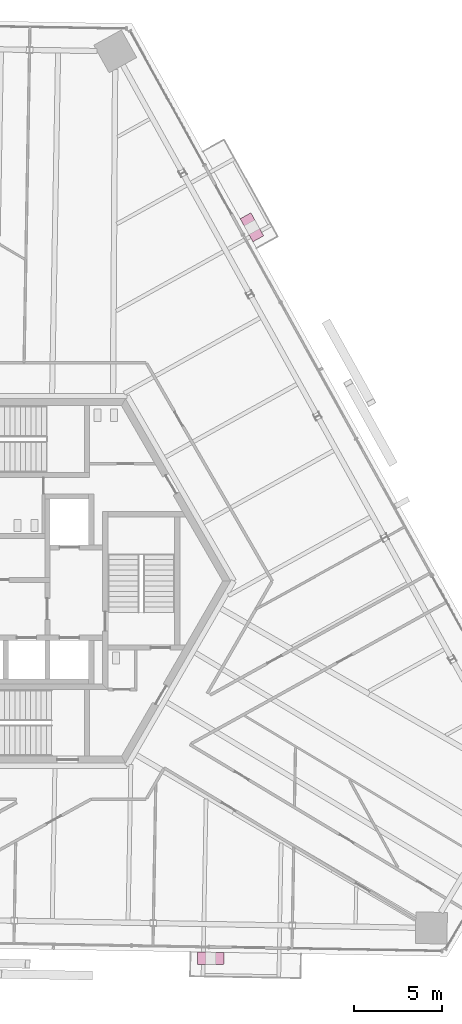
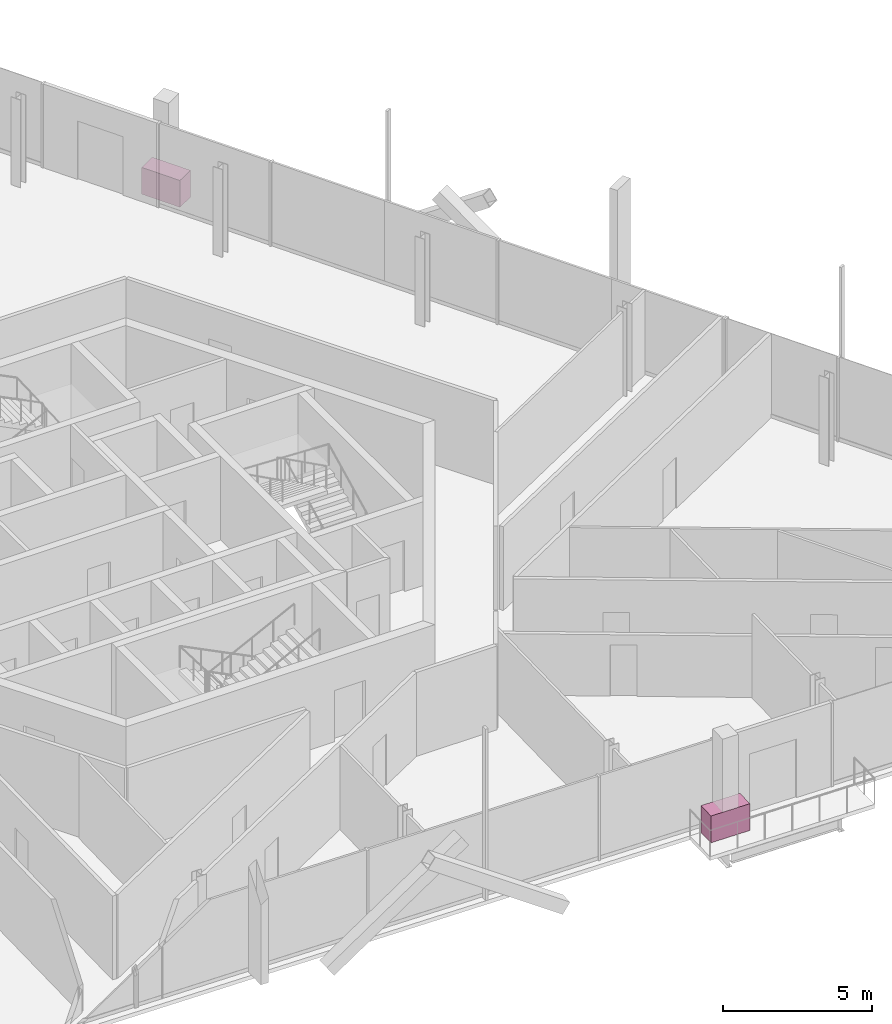
# One storey, part 19 of 20: 2 furniture elements.
"""IFC4 building model written with IfcOpenShell, lengths in metres."""

from ifc_helpers import new_model, si_unit, direction, frame, origin, origin_2d, place, context, subcontext, project, spatial, rectangle, extrude, source, transform, mapped, material, type_object, element, save


model = new_model("IFC4")

# Units and contexts
model_context = context("Model", 3, precision=1e-05, world=origin(), true_north=direction((0.0, 1.0)))
body_context = subcontext(model_context, "Body", "Model", "MODEL_VIEW")
ifc_project = project(units=[si_unit("LENGTHUNIT", "METRE"), si_unit("AREAUNIT", "SQUARE_METRE"), si_unit("VOLUMEUNIT", "CUBIC_METRE"), si_unit("PLANEANGLEUNIT", "RADIAN"), si_unit("MASSUNIT", "GRAM", prefix="KILO")], contexts=[model_context])

# Site, building, storey
site_placement = place(None, origin())
site = spatial("IfcSite", under=ifc_project, at=site_placement, CompositionType="ELEMENT")
building_placement = place(site_placement, origin())
building = spatial("IfcBuilding", under=site, at=building_placement, Name="Triune Harvest Tower", CompositionType="ELEMENT")
storey_placement = place(building_placement, frame((0.0, 0.0, 194.300048828125)))
storey = spatial("IfcBuildingStorey", under=building, at=storey_placement, Name="L50", CompositionType="ELEMENT", Elevation=194.300048828125)

# Furniture
ifc_material = material(Name="Concrete 40 MPa", Category="concrete")
furniture_type = type_object("IfcFurnitureType", Name="PB-1 structural planter", AssemblyPlace="SITE", PredefinedType="USERDEFINED", material=ifc_material)
shared_shape = source(origin(), body_context, "Body", "SweptSolid", [
    extrude(rectangle(XDim=1.5, YDim=0.699951171875, at=origin_2d()), origin(), (0.0, 0.0, 1.0), 1.10009765625),
])
for number, where, z_axis, x_axis, name in (
    (1, (13.207763671875, 20.1630859375, 0.0), (0.0, 0.0, 1.0), (-0.48480848305, 0.874620337497, 0.0), "Planter B5-F1 L50.9a"),
    (2, (10.85791015625, -21.52001953125, 0.0), (0.0, 0.0, 1.0), (0.999847708228, -0.017451657526, 0.0), "Planter B5-F5 L50.9a"),
):
    element("IfcFurniture", number, at=place(storey_placement, frame(where, z_axis=z_axis, x_axis=x_axis)), inside=storey, type_object=furniture_type, Name=name, ObjectType="PLANTER", PredefinedType="USERDEFINED", context=body_context, shape_type="MappedRepresentation", body=[
        mapped(shared_shape, transform((0.0, 0.0, 0.0), scale=1.0)),
    ])

save(model, "model.ifc")
